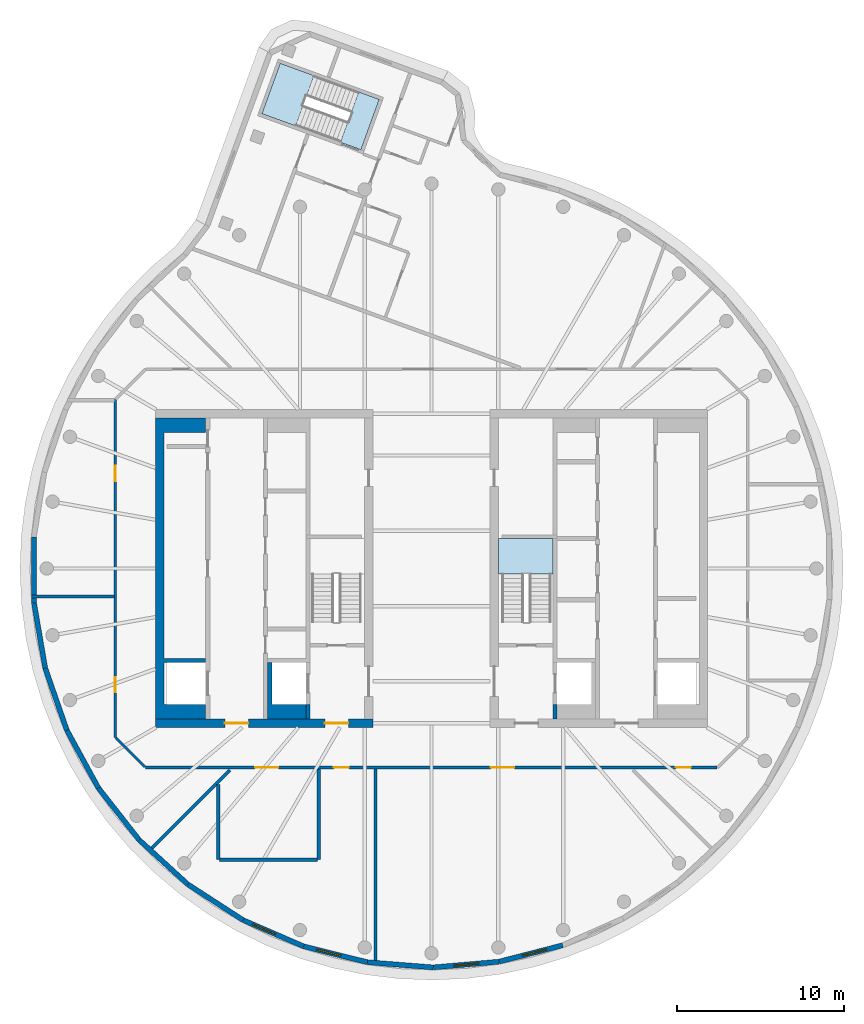
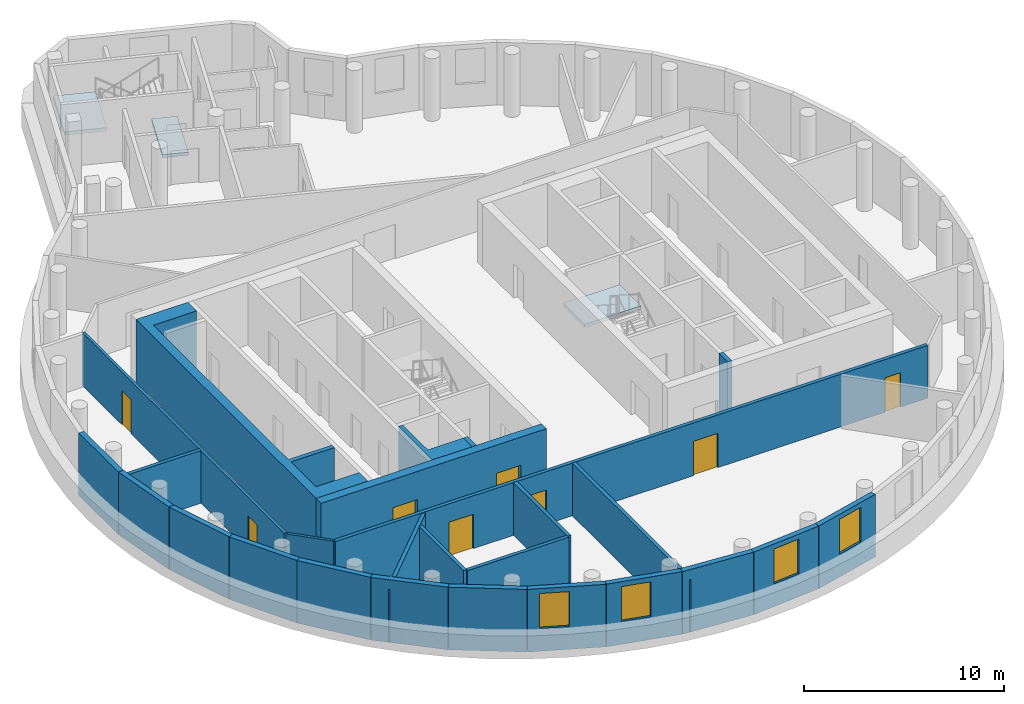
# One storey, part 2 of 7: 26 walls, 8 doors, 4 windows, 3 slabs, 12 openings, 2 elements without a shape of their own.
"""IFC4 building model written with IfcOpenShell, lengths in metres."""

from ifc_helpers import new_model, si_unit, direction, frame, frame_2d, origin, place, context, subcontext, project, spatial, polyline, rectangle, outline, extrude, material, layer, layer_set, type_object, element, fill, aggregate, save


model = new_model("IFC4")

# Units and contexts
model_context = context("Model", 3, precision=1e-05, world=origin(), true_north=direction((0.0, 1.0)))
body_context = subcontext(model_context, "Body", "Model", "MODEL_VIEW")
ifc_project = project(units=[si_unit("LENGTHUNIT", "METRE"), si_unit("AREAUNIT", "SQUARE_METRE"), si_unit("VOLUMEUNIT", "CUBIC_METRE"), si_unit("PLANEANGLEUNIT", "RADIAN"), si_unit("MASSUNIT", "GRAM", prefix="KILO")], contexts=[model_context])

# Site, building, storey
site_placement = place(None, origin())
site = spatial("IfcSite", under=ifc_project, at=site_placement, CompositionType="ELEMENT")
building_placement = place(site_placement, origin())
building = spatial("IfcBuilding", under=site, at=building_placement, Name="Tamarind Cross Interchange Tower", CompositionType="ELEMENT")
storey_placement = place(building_placement, frame((0.0, 0.0, 313.39990234375)))
storey = spatial("IfcBuildingStorey", under=building, at=storey_placement, Name="L77", CompositionType="ELEMENT", Elevation=313.39990234375)

# Slab
ifc_material_1 = material(Name="Concrete C40", Category="concrete")
ifc_layer_1 = layer(ifc_material_1, 0.179931640625)
ifc_layer_set_1 = layer_set([ifc_layer_1], Name="Concrete C40")
slab_type_1 = type_object("IfcSlabType", Name="Composite slab 180 Concrete C40", PredefinedType="FLOOR", material=ifc_layer_set_1)
slab_1_placement = place(storey_placement, frame((0.0, 0.0, -0.179931640625)))
element("IfcSlab", 1, at=slab_1_placement, inside=storey, type_object=slab_type_1, Name="Floor slab L77", PredefinedType="FLOOR", context=body_context, shape_type="SweptSolid", body=[
    extrude(outline(polyline([(-4.358154296875, 28.481201171875), (-5.45263671875, 25.47412109375), (-4.2197265625, 25.025634765625), (-3.125244140625, 28.03271484375), (-4.358154296875, 28.481201171875)])), origin(), (0.0, 0.0, 1.0), 0.179931640625),
])

# Stair, slab
ifc_material_2 = material(Name="Exit stair")
stair_type = type_object("IfcStairType", Name="Exit stair", PredefinedType="HALF_TURN_STAIR", material=ifc_material_2)
stair_1_placement = place(storey_placement, origin())
stair_1 = element("IfcStair", 2, at=stair_1_placement, inside=storey, type_object=stair_type, Name="L77 exit stair ST2", PredefinedType="HALF_TURN_STAIR")
ifc_layer_2 = layer(ifc_material_1, 0.199951171875)
ifc_layer_set_2 = layer_set([ifc_layer_2], Name="Concrete C40")
slab_type_2 = type_object("IfcSlabType", Name="Stair landing", PredefinedType="LANDING", material=ifc_layer_set_2)
slab_2_placement = place(storey_placement, frame((0.0, 0.0, 1.800048828125)))
slab_2 = element("IfcSlab", 3, at=slab_2_placement, type_object=slab_type_2, Name="ST2 landing 1", PredefinedType="LANDING", context=body_context, shape_type="SweptSolid", body=[
    extrude(outline(polyline([(7.25, -0.340087890625), (7.25, 1.800048828125), (4.0, 1.800048828125), (4.0, -0.340087890625), (7.25, -0.340087890625)])), origin(), (0.0, 0.0, 1.0), 0.199951171875),
])
aggregate(stair_1, [slab_2])

stair_2_placement = place(storey_placement, origin())
stair_2 = element("IfcStair", 4, at=stair_2_placement, inside=storey, type_object=stair_type, Name="L77 exit stair ST4", PredefinedType="HALF_TURN_STAIR")
slab_3_placement = place(storey_placement, frame((0.0, 0.0, 1.800048828125)))
slab_3 = element("IfcSlab", 5, at=slab_3_placement, type_object=slab_type_2, Name="ST4 landing 1", PredefinedType="LANDING", context=body_context, shape_type="SweptSolid", body=[
    extrude(outline(polyline([(-7.023193359375, 29.451171875), (-9.04541015625, 30.187255859375), (-10.139892578125, 27.18017578125), (-8.11767578125, 26.444091796875), (-7.023193359375, 29.451171875)])), origin(), (0.0, 0.0, 1.0), 0.199951171875),
])
aggregate(stair_2, [slab_3])

# Wall, openings, doors
ifc_material_3 = material(Name="Concrete C50", Category="concrete")
ifc_layer_3 = layer(ifc_material_3, 0.5)
ifc_layer_set_3 = layer_set([ifc_layer_3], Name="Concrete C50")
wall_type_1 = type_object("IfcWallType", Name="Core wall 500 mm Concrete C50", PredefinedType="SHEAR", material=ifc_layer_set_3)
wall_1_placement = place(storey_placement, frame((-16.5, -9.25, 0.0), z_axis=(0.0, 0.0, 1.0), x_axis=(1.0, 0.0, 0.0)))
wall_1 = element("IfcWall", 6, at=wall_1_placement, inside=storey, type_object=wall_type_1, Name="Core wall CWL-L77-W-S", PredefinedType="SHEAR", context=body_context, shape_type="SweptSolid", body=[
    extrude(rectangle(XDim=13.0, YDim=0.5, at=frame_2d((6.5, 0.0))), origin(), (0.0, 0.0, 1.0), 3.820068359375),
])
opening_1_placement = place(wall_1_placement, frame((4.14990234375, 0.0, 0.0)))
opening_1 = element("IfcOpeningElement", 7, at=opening_1_placement, cuts=wall_1, Name="Opening DCW1", PredefinedType="OPENING", context=body_context, shape_type="SweptSolid", body=[
    extrude(rectangle(XDim=1.39990234375, YDim=2.10009765625, at=frame_2d((0.699951171875, 1.050048828125))), frame((0.0, 0.260009765625, 0.0), z_axis=(0.0, -1.0, 0.0), x_axis=(1.0, 0.0, 0.0)), (0.0, 0.0, 1.0), 0.52001953125),
])
opening_2_placement = place(wall_1_placement, frame((10.125, 0.0, 0.0)))
opening_2 = element("IfcOpeningElement", 8, at=opening_2_placement, cuts=wall_1, Name="Opening DCWF", PredefinedType="OPENING", context=body_context, shape_type="SweptSolid", body=[
    extrude(rectangle(XDim=1.39990234375, YDim=2.10009765625, at=frame_2d((0.699951171875, 1.050048828125))), frame((0.0, 0.260009765625, 0.0), z_axis=(0.0, -1.0, 0.0), x_axis=(1.0, 0.0, 0.0)), (0.0, 0.0, 1.0), 0.52001953125),
])
ifc_material_4 = material(Name="Steel, fire-resisting", Category="steel")
door_type_1 = type_object("IfcDoorType", Name="Core fire door 1400 x 2100 FD90", OperationType="SINGLE_SWING_LEFT", PredefinedType="DOOR", material=ifc_material_4)
door_1_placement = place(opening_1_placement, origin())
door_1 = element("IfcDoor", 9, at=door_1_placement, inside=storey, type_object=door_type_1, Name="L77 lift lobby door", OperationType="SINGLE_SWING_LEFT", OverallHeight=2.10009765625, OverallWidth=1.39990234375, PredefinedType="DOOR", context=body_context, shape_type="SweptSolid", body=[
    extrude(rectangle(XDim=1.39990234375, YDim=2.10009765625, at=frame_2d((0.699951171875, 1.050048828125))), frame((0.0, 0.02490234375, 0.0), z_axis=(0.0, -1.0, 0.0), x_axis=(1.0, 0.0, 0.0)), (0.0, 0.0, 1.0), 0.050048828125),
])
fill(opening_1, door_1)
door_2_placement = place(opening_2_placement, origin())
door_2 = element("IfcDoor", 10, at=door_2_placement, inside=storey, type_object=door_type_1, Name="L77 firefighting lobby end door", OperationType="SINGLE_SWING_LEFT", OverallHeight=2.10009765625, OverallWidth=1.39990234375, PredefinedType="DOOR", context=body_context, shape_type="SweptSolid", body=[
    extrude(rectangle(XDim=1.39990234375, YDim=2.10009765625, at=frame_2d((0.699951171875, 1.050048828125))), frame((0.0, 0.02490234375, 0.0), z_axis=(0.0, -1.0, 0.0), x_axis=(1.0, 0.0, 0.0)), (0.0, 0.0, 1.0), 0.050048828125),
])
fill(opening_2, door_2)

# Walls
wall_2_placement = place(storey_placement, origin())
element("IfcWall", 11, at=wall_2_placement, inside=storey, type_object=wall_type_1, Name="Core wall CWL-L77-W-A", PredefinedType="SHEAR", context=body_context, shape_type="SweptSolid", body=[
    extrude(outline(polyline([(-13.5, -8.125), (-16.0, -8.125), (-16.0, -5.625), (-13.5, -5.625), (-13.5, -5.375), (-16.0, -5.375), (-16.0, 8.125), (-13.5, 8.125), (-13.5, 9.0), (-16.0, 9.0), (-16.5, 9.0), (-16.5, -9.0), (-16.0, -9.0), (-13.5, -9.0), (-13.5, -8.125)])), origin(), (0.0, 0.0, 1.0), 3.820068359375),
])
ifc_layer_4 = layer(ifc_material_3, 0.25)
ifc_layer_set_4 = layer_set([ifc_layer_4], Name="Concrete C50")
wall_type_2 = type_object("IfcWallType", Name="Core web wall 250 mm Concrete C50", PredefinedType="SHEAR", material=ifc_layer_set_4)
wall_3_placement = place(storey_placement, origin())
element("IfcWall", 12, at=wall_3_placement, inside=storey, type_object=wall_type_2, Name="Core wall CWL-L77-W-BS", PredefinedType="SHEAR", context=body_context, shape_type="SweptSolid", body=[
    extrude(outline(polyline([(-7.5, -8.125), (-9.550048828125, -8.125), (-9.550048828125, -5.625), (-9.800048828125, -5.625), (-9.800048828125, -8.125), (-9.800048828125, -9.0), (-7.5, -9.0), (-7.5, -8.125)])), origin(), (0.0, 0.0, 1.0), 3.820068359375),
])
for number, where, z_axis, x_axis, name in (
    (13, (-7.375, -9.0, 0.0), (0.0, 0.0, 1.0), (0.0, 1.0, 0.0), "Core wall CWL-L77-W-BW"),
    (14, (7.375, -9.0, 0.0), (0.0, 0.0, 1.0), (0.0, 1.0, 0.0), "Core wall CWL-L77-E-BW"),
):
    element("IfcWall", number, at=place(storey_placement, frame(where, z_axis=z_axis, x_axis=x_axis)), inside=storey, type_object=wall_type_2, Name=name, PredefinedType="SHEAR", context=body_context, shape_type="SweptSolid", body=[
        extrude(rectangle(XDim=0.875, YDim=0.25, at=frame_2d((0.4375, 0.0))), origin(), (0.0, 0.0, 1.0), 3.820068359375),
    ])
ifc_material_5 = material(Name="Gypsum board partition on steel studs", Category="steel")
ifc_layer_5 = layer(ifc_material_5, 0.14990234375)
ifc_layer_set_5 = layer_set([ifc_layer_5], Name="Gypsum board partition on steel studs")
wall_type_3 = type_object("IfcWallType", Name="Partition 150 mm EI 120", PredefinedType="PARTITIONING", material=ifc_layer_set_5)
wall_4_placement = place(storey_placement, frame((-18.87158203125, -10.12841796875, 0.0), z_axis=(0.0, 0.0, 1.0), x_axis=(0.707106781187, -0.707106781187, 0.0)))
element("IfcWall", 15, at=wall_4_placement, inside=storey, type_object=wall_type_3, Name="Partition L77-001", PredefinedType="PARTITIONING", context=body_context, shape_type="SweptSolid", body=[
    extrude(rectangle(XDim=2.455078125, YDim=0.14990234375, at=frame_2d((1.2275390625, 0.0))), origin(), (0.0, 0.0, 1.0), 3.22021484375),
])

# Wall, openings, doors
wall_5_placement = place(storey_placement, frame((-18.89990234375, -10.10009765625, 0.0), z_axis=(0.0, 0.0, 1.0), x_axis=(0.0, 1.0, 0.0)))
wall_5 = element("IfcWall", 16, at=wall_5_placement, inside=storey, type_object=wall_type_3, Name="Partition L77-032", PredefinedType="PARTITIONING", context=body_context, shape_type="SweptSolid", body=[
    extrude(rectangle(XDim=20.2001953125, YDim=0.14990234375, at=frame_2d((10.10009765625, 0.0))), origin(), (0.0, 0.0, 1.0), 3.22021484375),
])
opening_3_placement = place(wall_5_placement, frame((2.699951171875, 0.0, 0.0)))
opening_3 = element("IfcOpeningElement", 17, at=opening_3_placement, cuts=wall_5, Name="Opening D17", PredefinedType="OPENING", context=body_context, shape_type="SweptSolid", body=[
    extrude(rectangle(XDim=0.89990234375, YDim=2.10009765625, at=frame_2d((0.449951171875, 1.050048828125))), frame((0.0, 0.0849609375, 0.0), z_axis=(0.0, -1.0, 0.0), x_axis=(1.0, 0.0, 0.0)), (0.0, 0.0, 1.0), 0.169921875),
])
opening_4_placement = place(wall_5_placement, frame((15.325927734375, 0.0, 0.0)))
opening_4 = element("IfcOpeningElement", 18, at=opening_4_placement, cuts=wall_5, Name="Opening D18", PredefinedType="OPENING", context=body_context, shape_type="SweptSolid", body=[
    extrude(rectangle(XDim=0.89990234375, YDim=2.10009765625, at=frame_2d((0.449951171875, 1.050048828125))), frame((0.0, 0.0849609375, 0.0), z_axis=(0.0, -1.0, 0.0), x_axis=(1.0, 0.0, 0.0)), (0.0, 0.0, 1.0), 0.169921875),
])
ifc_material_6 = material(Name="Fire-resisting door set")
door_type_2 = type_object("IfcDoorType", Name="Interior door 900 x 2100 FD60S", OperationType="SINGLE_SWING_LEFT", PredefinedType="DOOR", material=ifc_material_6)
door_3_placement = place(opening_3_placement, origin())
door_3 = element("IfcDoor", 19, at=door_3_placement, inside=storey, type_object=door_type_2, Name="Door D17", OperationType="SINGLE_SWING_RIGHT", OverallHeight=2.10009765625, OverallWidth=0.89990234375, PredefinedType="DOOR", context=body_context, shape_type="SweptSolid", body=[
    extrude(rectangle(XDim=0.89990234375, YDim=2.10009765625, at=frame_2d((0.449951171875, 1.050048828125))), frame((0.0, 0.02490234375, 0.0), z_axis=(0.0, -1.0, 0.0), x_axis=(1.0, 0.0, 0.0)), (0.0, 0.0, 1.0), 0.050048828125),
])
fill(opening_3, door_3)
door_4_placement = place(opening_4_placement, origin())
door_4 = element("IfcDoor", 20, at=door_4_placement, inside=storey, type_object=door_type_2, Name="Door D18", OperationType="SINGLE_SWING_LEFT", OverallHeight=2.10009765625, OverallWidth=0.89990234375, PredefinedType="DOOR", context=body_context, shape_type="SweptSolid", body=[
    extrude(rectangle(XDim=0.89990234375, YDim=2.10009765625, at=frame_2d((0.449951171875, 1.050048828125))), frame((0.0, 0.02490234375, 0.0), z_axis=(0.0, -1.0, 0.0), x_axis=(1.0, 0.0, 0.0)), (0.0, 0.0, 1.0), 0.050048828125),
])
fill(opening_4, door_4)

# Wall
ifc_layer_6 = layer(ifc_material_5, 0.199951171875)
ifc_layer_set_6 = layer_set([ifc_layer_6], Name="Gypsum board partition on steel studs")
wall_type_4 = type_object("IfcWallType", Name="Partition 200 mm EI 180", PredefinedType="PARTITIONING", material=ifc_layer_set_6)
wall_6_placement = place(storey_placement, frame((-23.906494140625, -1.674072265625, 0.0), z_axis=(0.0, 0.0, 1.0), x_axis=(1.0, 0.0, 0.0)))
element("IfcWall", 21, at=wall_6_placement, inside=storey, type_object=wall_type_4, Name="Partition L77-012", PredefinedType="PARTITIONING", context=body_context, shape_type="SweptSolid", body=[
    extrude(rectangle(XDim=4.951416015625, YDim=0.199951171875, at=frame_2d((2.4755859375, 0.0))), origin(), (0.0, 0.0, 1.0), 3.22021484375),
])

# Wall, openings, doors
wall_7_placement = place(storey_placement, frame((-17.10009765625, -11.89990234375, 0.0), z_axis=(0.0, 0.0, 1.0), x_axis=(1.0, 0.0, 0.0)))
wall_7 = element("IfcWall", 22, at=wall_7_placement, inside=storey, type_object=wall_type_4, Name="Partition L77-014", PredefinedType="PARTITIONING", context=body_context, shape_type="SweptSolid", body=[
    extrude(rectangle(XDim=34.1650390625, YDim=0.199951171875, at=frame_2d((17.08251953125, 0.0))), origin(), (0.0, 0.0, 1.0), 3.22021484375),
])
opening_5_placement = place(wall_7_placement, frame((6.550048828125, 0.0, 0.0)))
opening_5 = element("IfcOpeningElement", 23, at=opening_5_placement, cuts=wall_7, Name="Opening D04", PredefinedType="OPENING", context=body_context, shape_type="SweptSolid", body=[
    extrude(rectangle(XDim=1.39990234375, YDim=2.10009765625, at=frame_2d((0.699951171875, 1.050048828125))), frame((0.0, 0.10986328125, 0.0), z_axis=(0.0, -1.0, 0.0), x_axis=(1.0, 0.0, 0.0)), (0.0, 0.0, 1.0), 0.219970703125),
])
opening_6_placement = place(wall_7_placement, frame((20.652099609375, 0.0, 0.0)))
opening_6 = element("IfcOpeningElement", 24, at=opening_6_placement, cuts=wall_7, Name="Opening D05", PredefinedType="OPENING", context=body_context, shape_type="SweptSolid", body=[
    extrude(rectangle(XDim=1.39990234375, YDim=2.10009765625, at=frame_2d((0.699951171875, 1.050048828125))), frame((0.0, 0.10986328125, 0.0), z_axis=(0.0, -1.0, 0.0), x_axis=(1.0, 0.0, 0.0)), (0.0, 0.0, 1.0), 0.219970703125),
])
opening_7_placement = place(wall_7_placement, frame((11.259033203125, 0.0, 0.0)))
opening_7 = element("IfcOpeningElement", 25, at=opening_7_placement, cuts=wall_7, Name="Opening D06", PredefinedType="OPENING", context=body_context, shape_type="SweptSolid", body=[
    extrude(rectangle(XDim=0.89990234375, YDim=2.10009765625, at=frame_2d((0.449951171875, 1.050048828125))), frame((0.0, 0.10986328125, 0.0), z_axis=(0.0, -1.0, 0.0), x_axis=(1.0, 0.0, 0.0)), (0.0, 0.0, 1.0), 0.219970703125),
])
opening_8_placement = place(wall_7_placement, frame((31.699951171875, 0.0, 0.0)))
opening_8 = element("IfcOpeningElement", 26, at=opening_8_placement, cuts=wall_7, Name="Opening D07", PredefinedType="OPENING", context=body_context, shape_type="SweptSolid", body=[
    extrude(rectangle(XDim=0.89990234375, YDim=2.10009765625, at=frame_2d((0.449951171875, 1.050048828125))), frame((0.0, 0.10986328125, 0.0), z_axis=(0.0, -1.0, 0.0), x_axis=(1.0, 0.0, 0.0)), (0.0, 0.0, 1.0), 0.219970703125),
])
door_type_3 = type_object("IfcDoorType", Name="Interior door 1400 x 2100 FD120S", OperationType="DOUBLE_DOOR_SINGLE_SWING", PredefinedType="DOOR", material=ifc_material_6)
door_5_placement = place(opening_5_placement, frame((1.39990234375, 0.0, 0.0), z_axis=(0.0, 0.0, 1.0), x_axis=(-1.0, 0.0, 0.0)))
door_5 = element("IfcDoor", 27, at=door_5_placement, inside=storey, type_object=door_type_3, Name="Door D04", OperationType="DOUBLE_DOOR_SINGLE_SWING", OverallHeight=2.10009765625, OverallWidth=1.39990234375, PredefinedType="DOOR", context=body_context, shape_type="SweptSolid", body=[
    extrude(rectangle(XDim=1.39990234375, YDim=2.10009765625, at=frame_2d((0.699951171875, 1.050048828125))), frame((0.0, 0.02490234375, 0.0), z_axis=(0.0, -1.0, 0.0), x_axis=(1.0, 0.0, 0.0)), (0.0, 0.0, 1.0), 0.050048828125),
])
fill(opening_5, door_5)
door_6_placement = place(opening_6_placement, frame((1.39990234375, 0.0, 0.0), z_axis=(0.0, 0.0, 1.0), x_axis=(-1.0, 0.0, 0.0)))
door_6 = element("IfcDoor", 28, at=door_6_placement, inside=storey, type_object=door_type_3, Name="Door D05", OperationType="DOUBLE_DOOR_SINGLE_SWING", OverallHeight=2.10009765625, OverallWidth=1.39990234375, PredefinedType="DOOR", context=body_context, shape_type="SweptSolid", body=[
    extrude(rectangle(XDim=1.39990234375, YDim=2.10009765625, at=frame_2d((0.699951171875, 1.050048828125))), frame((0.0, 0.02490234375, 0.0), z_axis=(0.0, -1.0, 0.0), x_axis=(1.0, 0.0, 0.0)), (0.0, 0.0, 1.0), 0.050048828125),
])
fill(opening_6, door_6)
door_type_4 = type_object("IfcDoorType", Name="Interior door 900 x 2100 FD120S", OperationType="SINGLE_SWING_LEFT", PredefinedType="DOOR", material=ifc_material_6)
door_7_placement = place(opening_7_placement, frame((0.89990234375, 0.0, 0.0), z_axis=(0.0, 0.0, 1.0), x_axis=(-1.0, 0.0, 0.0)))
door_7 = element("IfcDoor", 29, at=door_7_placement, inside=storey, type_object=door_type_4, Name="Door D06", OperationType="SINGLE_SWING_LEFT", OverallHeight=2.10009765625, OverallWidth=0.89990234375, PredefinedType="DOOR", context=body_context, shape_type="SweptSolid", body=[
    extrude(rectangle(XDim=0.89990234375, YDim=2.10009765625, at=frame_2d((0.449951171875, 1.050048828125))), frame((0.0, 0.02490234375, 0.0), z_axis=(0.0, -1.0, 0.0), x_axis=(1.0, 0.0, 0.0)), (0.0, 0.0, 1.0), 0.050048828125),
])
fill(opening_7, door_7)
door_8_placement = place(opening_8_placement, frame((0.89990234375, 0.0, 0.0), z_axis=(0.0, 0.0, 1.0), x_axis=(-1.0, 0.0, 0.0)))
door_8 = element("IfcDoor", 30, at=door_8_placement, inside=storey, type_object=door_type_4, Name="Door D07", OperationType="SINGLE_SWING_RIGHT", OverallHeight=2.10009765625, OverallWidth=0.89990234375, PredefinedType="DOOR", context=body_context, shape_type="SweptSolid", body=[
    extrude(rectangle(XDim=0.89990234375, YDim=2.10009765625, at=frame_2d((0.449951171875, 1.050048828125))), frame((0.0, 0.02490234375, 0.0), z_axis=(0.0, -1.0, 0.0), x_axis=(1.0, 0.0, 0.0)), (0.0, 0.0, 1.0), 0.050048828125),
])
fill(opening_8, door_8)

# Walls
wall_8_placement = place(storey_placement, frame((-12.660888671875, -17.39990234375, 0.0), z_axis=(0.0, 0.0, 1.0), x_axis=(1.0, 0.0, 0.0)))
element("IfcWall", 31, at=wall_8_placement, inside=storey, type_object=wall_type_4, Name="Partition L77-016", PredefinedType="PARTITIONING", context=body_context, shape_type="SweptSolid", body=[
    extrude(rectangle(XDim=5.8349609375, YDim=0.199951171875, at=frame_2d((2.91748046875, 0.0))), origin(), (0.0, 0.0, 1.0), 3.22021484375),
])
wall_9_placement = place(storey_placement, frame((-16.927001953125, -16.927001953125, 0.0), z_axis=(0.0, 0.0, 1.0), x_axis=(0.707106781187, 0.707106781187, 0.0)))
element("IfcWall", 32, at=wall_9_placement, inside=storey, type_object=wall_type_4, Name="Partition L77-020", PredefinedType="PARTITIONING", context=body_context, shape_type="SweptSolid", body=[
    extrude(rectangle(XDim=6.894287109375, YDim=0.199951171875, at=frame_2d((3.447265625, 0.0))), origin(), (0.0, 0.0, 1.0), 3.22021484375),
])
wall_10_placement = place(storey_placement, frame((-12.740966796875, -17.39990234375, 0.0), z_axis=(0.0, 0.0, 1.0), x_axis=(0.0, 1.0, 0.0)))
element("IfcWall", 33, at=wall_10_placement, inside=storey, type_object=wall_type_4, Name="Partition L77-033", PredefinedType="PARTITIONING", context=body_context, shape_type="SweptSolid", body=[
    extrude(rectangle(XDim=4.4990234375, YDim=0.199951171875, at=frame_2d((2.24951171875, 0.0))), origin(), (0.0, 0.0, 1.0), 3.22021484375),
])
wall_11_placement = place(storey_placement, frame((-6.740966796875, -17.39990234375, 0.0), z_axis=(0.0, 0.0, 1.0), x_axis=(0.0, 1.0, 0.0)))
element("IfcWall", 34, at=wall_11_placement, inside=storey, type_object=wall_type_4, Name="Partition L77-034", PredefinedType="PARTITIONING", context=body_context, shape_type="SweptSolid", body=[
    extrude(rectangle(XDim=5.419921875, YDim=0.199951171875, at=frame_2d((2.7099609375, 0.0))), origin(), (0.0, 0.0, 1.0), 3.22021484375),
])
wall_12_placement = place(storey_placement, frame((-3.347900390625, -23.72412109375, 0.0), z_axis=(0.0, 0.0, 1.0), x_axis=(0.0, 1.0, 0.0)))
element("IfcWall", 35, at=wall_12_placement, inside=storey, type_object=wall_type_4, Name="Partition L77-035", PredefinedType="PARTITIONING", context=body_context, shape_type="SweptSolid", body=[
    extrude(rectangle(XDim=11.744140625, YDim=0.199951171875, at=frame_2d((5.8720703125, 0.0))), origin(), (0.0, 0.0, 1.0), 3.22021484375),
])
ifc_material_7 = material(Name="Precast concrete C40", Category="concrete")
ifc_layer_7 = layer(ifc_material_7, 0.300048828125)
ifc_layer_set_7 = layer_set([ifc_layer_7], Name="Precast concrete C40")
wall_type_5 = type_object("IfcWallType", Name="Plant louvre wall", PredefinedType="SOLIDWALL", material=ifc_layer_set_7)
wall_13_placement = place(storey_placement, frame((-23.772705078125, 1.866943359375, 0.0), z_axis=(0.0, 0.0, 1.0), x_axis=(0.004339160737, -0.999990585798, 0.0)))
element("IfcWall", 36, at=wall_13_placement, inside=storey, type_object=wall_type_5, Name="EXW-L77-02-06", PredefinedType="SOLIDWALL", context=body_context, shape_type="SweptSolid", body=[
    extrude(rectangle(XDim=3.9384765625, YDim=0.300048828125, at=frame_2d((1.96923828125, 0.0))), origin(), (0.0, 0.0, 1.0), 3.820068359375),
])
wall_14_placement = place(storey_placement, frame((-23.755615234375, -2.071533203125, 0.0), z_axis=(0.0, 0.0, 1.0), x_axis=(0.168810670753, -0.985648495885, 0.0)))
element("IfcWall", 37, at=wall_14_placement, inside=storey, type_object=wall_type_5, Name="EXW-L77-02-07", PredefinedType="SOLIDWALL", context=body_context, shape_type="SweptSolid", body=[
    extrude(rectangle(XDim=3.93798828125, YDim=0.300048828125, at=frame_2d((1.968994140625, 0.0))), origin(), (0.0, 0.0, 1.0), 3.820068359375),
])
for number, where, z_axis, x_axis, name in (
    (38, (-23.0908203125, -5.953125, 0.0), (0.0, 0.0, 1.0), (0.328789892836, -0.944403095277, 0.0), "EXW-L77-02-08"),
    (39, (-21.7958984375, -9.672607421875, 0.0), (0.0, 0.0, 1.0), (0.479742253376, -0.877409465601, 0.0), "EXW-L77-02-09"),
):
    element("IfcWall", number, at=place(storey_placement, frame(where, z_axis=z_axis, x_axis=x_axis)), inside=storey, type_object=wall_type_5, Name=name, PredefinedType="SOLIDWALL", context=body_context, shape_type="SweptSolid", body=[
        extrude(rectangle(XDim=3.9384765625, YDim=0.300048828125, at=frame_2d((1.96923828125, 0.0))), origin(), (0.0, 0.0, 1.0), 3.820068359375),
    ])
wall_15_placement = place(storey_placement, frame((-19.906494140625, -13.128173828125, 0.0), z_axis=(0.0, 0.0, 1.0), x_axis=(0.617577851206, -0.786509756901, 0.0)))
element("IfcWall", 40, at=wall_15_placement, inside=storey, type_object=wall_type_5, Name="EXW-L77-02-10", PredefinedType="SOLIDWALL", context=body_context, shape_type="SweptSolid", body=[
    extrude(rectangle(XDim=3.938232421875, YDim=0.300048828125, at=frame_2d((1.96923828125, 0.0))), origin(), (0.0, 0.0, 1.0), 3.820068359375),
])
wall_16_placement = place(storey_placement, frame((-17.474365234375, -16.2255859375, 0.0), z_axis=(0.0, 0.0, 1.0), x_axis=(0.738634435884, -0.674106200926, 0.0)))
element("IfcWall", 41, at=wall_16_placement, inside=storey, type_object=wall_type_5, Name="EXW-L77-02-11", PredefinedType="SOLIDWALL", context=body_context, shape_type="SweptSolid", body=[
    extrude(rectangle(XDim=3.9384765625, YDim=0.300048828125, at=frame_2d((1.96923828125, 0.0))), origin(), (0.0, 0.0, 1.0), 3.820068359375),
])
wall_17_placement = place(storey_placement, frame((-14.565185546875, -18.880615234375, 0.0), z_axis=(0.0, 0.0, 1.0), x_axis=(0.839498632024, -0.54336180104, 0.0)))
element("IfcWall", 42, at=wall_17_placement, inside=storey, type_object=wall_type_5, Name="EXW-L77-02-12", PredefinedType="SOLIDWALL", context=body_context, shape_type="SweptSolid", body=[
    extrude(rectangle(XDim=3.938232421875, YDim=0.300048828125, at=frame_2d((1.96923828125, 0.0))), origin(), (0.0, 0.0, 1.0), 3.820068359375),
])

# Wall, opening, window
wall_18_placement = place(storey_placement, frame((-11.259033203125, -21.0205078125, 0.0), z_axis=(0.0, 0.0, 1.0), x_axis=(0.917505110173, -0.397723990735, 0.0)))
wall_18 = element("IfcWall", 43, at=wall_18_placement, inside=storey, type_object=wall_type_5, Name="EXW-L77-02-13", PredefinedType="SOLIDWALL", context=body_context, shape_type="SweptSolid", body=[
    extrude(rectangle(XDim=3.9384765625, YDim=0.300048828125, at=frame_2d((1.96923828125, 0.0))), origin(), (0.0, 0.0, 1.0), 3.820068359375),
])
opening_9_placement = place(wall_18_placement, frame((0.60009765625, 0.0, 1.39990234375)))
opening_9 = element("IfcOpeningElement", 44, at=opening_9_placement, cuts=wall_18, Name="Opening W2", PredefinedType="OPENING", context=body_context, shape_type="SweptSolid", body=[
    extrude(rectangle(XDim=1.498291015625, YDim=2.1201171875, at=frame_2d((0.7490234375, 1.06005859375))), frame((0.0, 0.159912109375, 0.0), z_axis=(0.0, -1.0, 0.0), x_axis=(1.0, 0.0, 0.0)), (0.0, 0.0, 1.0), 0.320068359375),
])
ifc_material_8 = material(Name="Aluminium louvre", Category="aluminium")
window_type = type_object("IfcWindowType", Name="Plant louvre bank", PartitioningType="SINGLE_PANEL", PredefinedType="WINDOW", material=ifc_material_8)
window_1_placement = place(opening_9_placement, origin())
window_1 = element("IfcWindow", 45, at=window_1_placement, inside=storey, type_object=window_type, Name="WIN-L77-02-13", OverallHeight=2.1201171875, OverallWidth=1.498291015625, PartitioningType="SINGLE_PANEL", PredefinedType="WINDOW", context=body_context, shape_type="SweptSolid", body=[
    extrude(rectangle(XDim=1.498291015625, YDim=2.1201171875, at=frame_2d((0.7490234375, 1.06005859375))), frame((0.0, 0.030029296875, 0.0), z_axis=(0.0, -1.0, 0.0), x_axis=(1.0, 0.0, 0.0)), (0.0, 0.0, 1.0), 0.06005859375),
])
fill(opening_9, window_1)

wall_19_placement = place(storey_placement, frame((-7.6455078125, -22.5869140625, 0.0), z_axis=(0.0, 0.0, 1.0), x_axis=(0.970440788586, -0.241339337547, 0.0)))
wall_19 = element("IfcWall", 46, at=wall_19_placement, inside=storey, type_object=wall_type_5, Name="EXW-L77-02-14", PredefinedType="SOLIDWALL", context=body_context, shape_type="SweptSolid", body=[
    extrude(rectangle(XDim=3.938232421875, YDim=0.300048828125, at=frame_2d((1.96923828125, 0.0))), origin(), (0.0, 0.0, 1.0), 3.820068359375),
])
opening_10_placement = place(wall_19_placement, frame((0.800537109375, 0.0, 1.39990234375)))
opening_10 = element("IfcOpeningElement", 47, at=opening_10_placement, cuts=wall_19, Name="Opening W2", PredefinedType="OPENING", context=body_context, shape_type="SweptSolid", body=[
    extrude(rectangle(XDim=1.508544921875, YDim=2.1201171875, at=frame_2d((0.75439453125, 1.06005859375))), frame((0.0, 0.159912109375, 0.0), z_axis=(0.0, -1.0, 0.0), x_axis=(1.0, 0.0, 0.0)), (0.0, 0.0, 1.0), 0.320068359375),
])
window_2_placement = place(opening_10_placement, origin())
window_2 = element("IfcWindow", 48, at=window_2_placement, inside=storey, type_object=window_type, Name="WIN-L77-02-14", OverallHeight=2.1201171875, OverallWidth=1.508544921875, PartitioningType="SINGLE_PANEL", PredefinedType="WINDOW", context=body_context, shape_type="SweptSolid", body=[
    extrude(rectangle(XDim=1.508544921875, YDim=2.1201171875, at=frame_2d((0.75439453125, 1.06005859375))), frame((0.0, 0.030029296875, 0.0), z_axis=(0.0, -1.0, 0.0), x_axis=(1.0, 0.0, 0.0)), (0.0, 0.0, 1.0), 0.06005859375),
])
fill(opening_10, window_2)

# Wall
wall_20_placement = place(storey_placement, frame((-3.82373046875, -23.537353515625, 0.0), z_axis=(0.0, 0.0, 1.0), x_axis=(0.996930318741, -0.078293930641, 0.0)))
element("IfcWall", 49, at=wall_20_placement, inside=storey, type_object=wall_type_5, Name="EXW-L77-02-15", PredefinedType="SOLIDWALL", context=body_context, shape_type="SweptSolid", body=[
    extrude(rectangle(XDim=3.9384765625, YDim=0.300048828125, at=frame_2d((1.96923828125, 0.0))), origin(), (0.0, 0.0, 1.0), 3.820068359375),
])

# Wall, opening, window
wall_21_placement = place(storey_placement, frame((0.1025390625, -23.845703125, 0.0), z_axis=(0.0, 0.0, 1.0), x_axis=(0.99621635874, 0.08690780505, 0.0)))
wall_21 = element("IfcWall", 50, at=wall_21_placement, inside=storey, type_object=wall_type_5, Name="EXW-L77-02-16", PredefinedType="SOLIDWALL", context=body_context, shape_type="SweptSolid", body=[
    extrude(rectangle(XDim=3.9384765625, YDim=0.300048828125, at=frame_2d((1.96923828125, 0.0))), origin(), (0.0, 0.0, 1.0), 3.820068359375),
])
opening_11_placement = place(wall_21_placement, frame((1.22119140625, 0.0, 1.39990234375)))
opening_11 = element("IfcOpeningElement", 51, at=opening_11_placement, cuts=wall_21, Name="Opening W2", PredefinedType="OPENING", context=body_context, shape_type="SweptSolid", body=[
    extrude(rectangle(XDim=1.50927734375, YDim=2.1201171875, at=frame_2d((0.754638671875, 1.06005859375))), frame((0.0, 0.159912109375, 0.0), z_axis=(0.0, -1.0, 0.0), x_axis=(1.0, 0.0, 0.0)), (0.0, 0.0, 1.0), 0.320068359375),
])
window_3_placement = place(opening_11_placement, origin())
window_3 = element("IfcWindow", 52, at=window_3_placement, inside=storey, type_object=window_type, Name="WIN-L77-02-16", OverallHeight=2.1201171875, OverallWidth=1.50927734375, PartitioningType="SINGLE_PANEL", PredefinedType="WINDOW", context=body_context, shape_type="SweptSolid", body=[
    extrude(rectangle(XDim=1.50927734375, YDim=2.1201171875, at=frame_2d((0.754638671875, 1.06005859375))), frame((0.0, 0.030029296875, 0.0), z_axis=(0.0, -1.0, 0.0), x_axis=(1.0, 0.0, 0.0)), (0.0, 0.0, 1.0), 0.06005859375),
])
fill(opening_11, window_3)

wall_22_placement = place(storey_placement, frame((4.026123046875, -23.50341796875, 0.0), z_axis=(0.0, 0.0, 1.0), x_axis=(0.968336809904, 0.24964739651, 0.0)))
wall_22 = element("IfcWall", 53, at=wall_22_placement, inside=storey, type_object=wall_type_5, Name="EXW-L77-02-17", PredefinedType="SOLIDWALL", context=body_context, shape_type="SweptSolid", body=[
    extrude(rectangle(XDim=3.938232421875, YDim=0.300048828125, at=frame_2d((1.96923828125, 0.0))), origin(), (0.0, 0.0, 1.0), 3.820068359375),
])
opening_12_placement = place(wall_22_placement, frame((1.431884765625, 0.0, 1.39990234375)))
opening_12 = element("IfcOpeningElement", 54, at=opening_12_placement, cuts=wall_22, Name="Opening W2", PredefinedType="OPENING", context=body_context, shape_type="SweptSolid", body=[
    extrude(rectangle(XDim=1.509033203125, YDim=2.1201171875, at=frame_2d((0.75439453125, 1.06005859375))), frame((0.0, 0.159912109375, 0.0), z_axis=(0.0, -1.0, 0.0), x_axis=(1.0, 0.0, 0.0)), (0.0, 0.0, 1.0), 0.320068359375),
])
window_4_placement = place(opening_12_placement, origin())
window_4 = element("IfcWindow", 55, at=window_4_placement, inside=storey, type_object=window_type, Name="WIN-L77-02-17", OverallHeight=2.1201171875, OverallWidth=1.509033203125, PartitioningType="SINGLE_PANEL", PredefinedType="WINDOW", context=body_context, shape_type="SweptSolid", body=[
    extrude(rectangle(XDim=1.509033203125, YDim=2.1201171875, at=frame_2d((0.75439453125, 1.06005859375))), frame((0.0, 0.030029296875, 0.0), z_axis=(0.0, -1.0, 0.0), x_axis=(1.0, 0.0, 0.0)), (0.0, 0.0, 1.0), 0.06005859375),
])
fill(opening_12, window_4)

save(model, "model.ifc")
